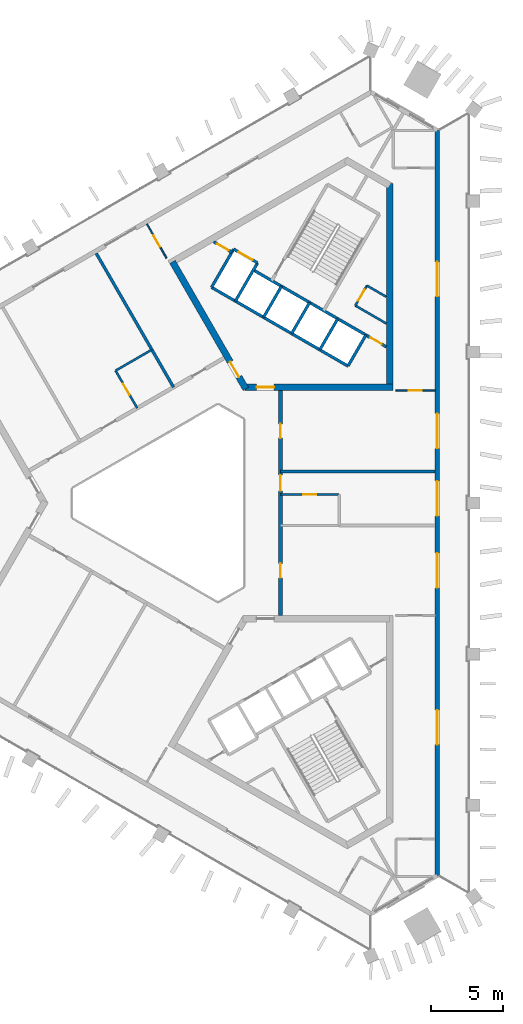
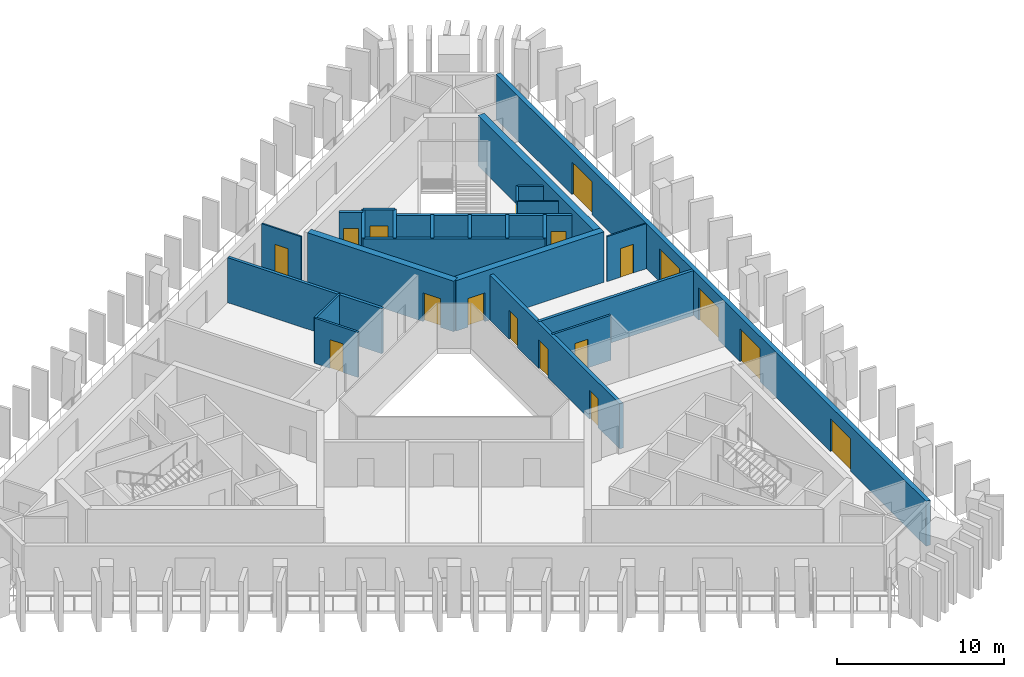
# One storey, part 5 of 9: 25 walls, 18 doors, 18 openings.
"""IFC4 building model written with IfcOpenShell, lengths in metres."""

from ifc_helpers import new_model, si_unit, direction, frame, frame_2d, origin, place, context, subcontext, project, spatial, rectangle, extrude, material, layer, layer_set, type_object, element, fill, save


model = new_model("IFC4")

# Units and contexts
model_context = context("Model", 3, precision=1e-05, world=origin(), true_north=direction((0.0, 1.0)))
body_context = subcontext(model_context, "Body", "Model", "MODEL_VIEW")
ifc_project = project(units=[si_unit("LENGTHUNIT", "METRE"), si_unit("AREAUNIT", "SQUARE_METRE"), si_unit("VOLUMEUNIT", "CUBIC_METRE"), si_unit("PLANEANGLEUNIT", "RADIAN"), si_unit("MASSUNIT", "GRAM", prefix="KILO")], contexts=[model_context])

# Site, building, storey
site_placement = place(None, origin())
site = spatial("IfcSite", under=ifc_project, at=site_placement, CompositionType="ELEMENT")
building_placement = place(site_placement, origin())
building = spatial("IfcBuilding", under=site, at=building_placement, Name="Jabali Bay Hotel Tower and Convention Centre", CompositionType="ELEMENT")
storey_placement = place(building_placement, frame((0.0, 0.0, 205.800048828125)))
storey = spatial("IfcBuildingStorey", under=building, at=storey_placement, Name="L50", CompositionType="ELEMENT", Elevation=205.800048828125)

# Wall, opening, door
ifc_material_1 = material(Name="Concrete C40", Category="concrete")
ifc_layer_1 = layer(ifc_material_1, 0.199951171875)
ifc_layer_set_1 = layer_set([ifc_layer_1], Name="Concrete C40")
wall_type_1 = type_object("IfcWallType", Name="Core partition wall 200", PredefinedType="PARTITIONING", material=ifc_layer_set_1)
wall_1_placement = place(storey_placement, frame((78.730224609375, 97.36083984375, 0.0), z_axis=(0.0, 0.0, 1.0), x_axis=(-0.866045896294, 0.499964504253, 0.0)))
wall_1 = element("IfcWall", 1, at=wall_1_placement, inside=storey, type_object=wall_type_1, Name="Core wall 1.12 L50", PredefinedType="PARTITIONING", context=body_context, shape_type="SweptSolid", body=[
    extrude(rectangle(XDim=1.455078125, YDim=0.199951171875, at=frame_2d((0.7275390625, 0.0))), origin(), (0.0, 0.0, 1.0), 3.300048828125),
])
opening_1_placement = place(wall_1_placement, frame((0.277587890625, 0.0, 0.0)))
opening_1 = element("IfcOpeningElement", 2, at=opening_1_placement, cuts=wall_1, Name="Opening D1085", PredefinedType="OPENING", context=body_context, shape_type="SweptSolid", body=[
    extrude(rectangle(XDim=0.89990234375, YDim=2.10009765625, at=frame_2d((0.449951171875, 1.050048828125))), frame((0.0, 0.1103515625, 0.0), z_axis=(0.0, -1.0, 0.0), x_axis=(1.0, 0.0, 0.0)), (0.0, 0.0, 1.0), 0.220947265625),
])
ifc_material_2 = material(Name="Fire-rated steel door", Category="steel")
door_type_1 = type_object("IfcDoorType", Name="Vestibule fire door 900 x 2100", OperationType="NOTDEFINED", PredefinedType="NOTDEFINED", material=ifc_material_2)
door_1_placement = place(opening_1_placement, origin())
door_1 = element("IfcDoor", 3, at=door_1_placement, inside=storey, type_object=door_type_1, Name="Vestibule fire door D1085", OperationType="SINGLE_SWING_LEFT", OverallHeight=2.10009765625, OverallWidth=0.89990234375, PredefinedType="NOTDEFINED", context=body_context, shape_type="SweptSolid", body=[
    extrude(rectangle(XDim=0.89990234375, YDim=2.10009765625, at=frame_2d((0.449951171875, 1.050048828125))), frame((0.0, 0.02490234375, 0.0), z_axis=(0.0, -1.0, 0.0), x_axis=(1.0, 0.0, 0.0)), (0.0, 0.0, 1.0), 0.050048828125),
])
fill(opening_1, door_1)

ifc_material_3 = material(Name="Fire-rated board partition")
ifc_layer_2 = layer(ifc_material_3, 0.14990234375)
ifc_layer_set_2 = layer_set([ifc_layer_2], Name="Fire-rated board partition")
wall_type_2 = type_object("IfcWallType", Name="Core room partition 150", PredefinedType="PARTITIONING", material=ifc_layer_set_2)
wall_2_placement = place(storey_placement, frame((87.281005859375, 93.671142578125, 0.0), z_axis=(0.0, 0.0, 1.0), x_axis=(0.499880961361, 0.866094119867, 0.0)))
wall_2 = element("IfcWall", 4, at=wall_2_placement, inside=storey, type_object=wall_type_2, Name="Core wall 1.1 L50", PredefinedType="PARTITIONING", context=body_context, shape_type="SweptSolid", body=[
    extrude(rectangle(XDim=1.60009765625, YDim=0.14990234375, at=frame_2d((0.800048828125, 0.0))), origin(), (0.0, 0.0, 1.0), 3.300048828125),
])
opening_2_placement = place(wall_2_placement, frame((0.387451171875, 0.0, 0.0)))
opening_2 = element("IfcOpeningElement", 5, at=opening_2_placement, cuts=wall_2, Name="Opening D1088", PredefinedType="OPENING", context=body_context, shape_type="SweptSolid", body=[
    extrude(rectangle(XDim=0.89990234375, YDim=2.10009765625, at=frame_2d((0.449951171875, 1.050048828125))), frame((0.0, 0.08544921875, 0.0), z_axis=(0.0, -1.0, 0.0), x_axis=(1.0, 0.0, 0.0)), (0.0, 0.0, 1.0), 0.1708984375),
])
door_type_2 = type_object("IfcDoorType", Name="Core room door 900 x 2100", OperationType="NOTDEFINED", PredefinedType="NOTDEFINED", material=ifc_material_2)
door_2_placement = place(opening_2_placement, origin())
door_2 = element("IfcDoor", 6, at=door_2_placement, inside=storey, type_object=door_type_2, Name="Core room door D1088", OperationType="SINGLE_SWING_LEFT", OverallHeight=2.10009765625, OverallWidth=0.89990234375, PredefinedType="NOTDEFINED", context=body_context, shape_type="SweptSolid", body=[
    extrude(rectangle(XDim=0.89990234375, YDim=2.10009765625, at=frame_2d((0.449951171875, 1.050048828125))), frame((0.0, 0.02490234375, 0.0), z_axis=(0.0, -1.0, 0.0), x_axis=(1.0, 0.0, 0.0)), (0.0, 0.0, 1.0), 0.050048828125),
])
fill(opening_2, door_2)

# Walls
wall_3_placement = place(storey_placement, frame((89.429931640625, 92.430419921875, 0.0), z_axis=(0.0, 0.0, 1.0), x_axis=(-0.866018462269, 0.500012022864, 0.0)))
element("IfcWall", 7, at=wall_3_placement, inside=storey, type_object=wall_type_2, Name="Core wall 1.14 L50", PredefinedType="PARTITIONING", context=body_context, shape_type="SweptSolid", body=[
    extrude(rectangle(XDim=2.4814453125, YDim=0.14990234375, at=frame_2d((1.24072265625, 0.0))), origin(), (0.0, 0.0, 1.0), 3.300048828125),
])
wall_4_placement = place(storey_placement, frame((89.429931640625, 94.27783203125, 0.0), z_axis=(0.0, 0.0, 1.0), x_axis=(-0.86598723706, 0.500066100879, 0.0)))
element("IfcWall", 8, at=wall_4_placement, inside=storey, type_object=wall_type_2, Name="Core wall 1.15 L50", PredefinedType="PARTITIONING", context=body_context, shape_type="SweptSolid", body=[
    extrude(rectangle(XDim=1.557861328125, YDim=0.14990234375, at=frame_2d((0.77880859375, 0.0))), origin(), (0.0, 0.0, 1.0), 3.300048828125),
])
ifc_layer_3 = layer(ifc_material_1, 0.199951171875)
ifc_layer_set_3 = layer_set([ifc_layer_3], Name="Concrete C40")
wall_type_3 = type_object("IfcWallType", Name="Core stair wall 200", PredefinedType="SOLIDWALL", material=ifc_layer_set_3)
for number, where, z_axis, x_axis, name in (
    (9, (86.769775390625, 89.48583984375, 0.0), (0.0, 0.0, 1.0), (0.499961042966, 0.86604789447, 0.0), "Core wall 1.0 L50"),
    (10, (84.8212890625, 90.61083984375, 0.0), (0.0, 0.0, 1.0), (0.499961042966, 0.86604789447, 0.0), "Core wall 1.2 L50"),
    (11, (82.872802734375, 91.73583984375, 0.0), (0.0, 0.0, 1.0), (0.499961042966, 0.86604789447, 0.0), "Core wall 1.4 L50"),
    (12, (80.924072265625, 92.86083984375, 0.0), (0.0, 0.0, 1.0), (0.499961042966, 0.86604789447, 0.0), "Core wall 1.6 L50"),
):
    element("IfcWall", number, at=place(storey_placement, frame(where, z_axis=z_axis, x_axis=x_axis)), inside=storey, type_object=wall_type_3, Name=name, PredefinedType="SOLIDWALL", context=body_context, shape_type="SweptSolid", body=[
        extrude(rectangle(XDim=2.480224609375, YDim=0.199951171875, at=frame_2d((1.240234375, 0.0))), origin(), (0.0, 0.0, 1.0), 3.300048828125),
    ])
for number, where, z_axis, x_axis, name in (
    (13, (78.9755859375, 93.98583984375, 0.0), (0.0, 0.0, 1.0), (0.499944174705, 0.866057632134, 0.0), "Core wall 1.8 L50"),
    (14, (77.330078125, 94.93603515625, 0.0), (0.0, 0.0, 1.0), (0.500038867431, 0.8660029625, 0.0), "Core wall 1.9 L50"),
):
    element("IfcWall", number, at=place(storey_placement, frame(where, z_axis=z_axis, x_axis=x_axis)), inside=storey, type_object=wall_type_3, Name=name, PredefinedType="SOLIDWALL", context=body_context, shape_type="SweptSolid", body=[
        extrude(rectangle(XDim=3.050048828125, YDim=0.199951171875, at=frame_2d((1.52490234375, 0.0))), origin(), (0.0, 0.0, 1.0), 3.300048828125),
    ])
wall_5_placement = place(storey_placement, frame((86.769775390625, 89.48583984375, 0.0), z_axis=(0.0, 0.0, 1.0), x_axis=(-0.86601811187, 0.500012629753, 0.0)))
element("IfcWall", 15, at=wall_5_placement, inside=storey, type_object=wall_type_3, Name="Core wall 1.10 L50", PredefinedType="SOLIDWALL", context=body_context, shape_type="SweptSolid", body=[
    extrude(rectangle(XDim=10.900146484375, YDim=0.199951171875, at=frame_2d((5.4501953125, 0.0))), origin(), (0.0, 0.0, 1.0), 3.300048828125),
])

# Wall, opening, door
wall_6_placement = place(storey_placement, frame((89.429931640625, 90.813720703125, 0.0), z_axis=(0.0, 0.0, 1.0), x_axis=(-0.866018983788, 0.500011119594, 0.0)))
wall_6 = element("IfcWall", 16, at=wall_6_placement, inside=storey, type_object=wall_type_3, Name="Core wall 1.11 L50", PredefinedType="SOLIDWALL", context=body_context, shape_type="SweptSolid", body=[
    extrude(rectangle(XDim=10.639892578125, YDim=0.199951171875, at=frame_2d((5.31982421875, 0.0))), origin(), (0.0, 0.0, 1.0), 3.300048828125),
])
opening_3_placement = place(wall_6_placement, frame((0.369873046875, 0.0, 0.0)))
opening_3 = element("IfcOpeningElement", 17, at=opening_3_placement, cuts=wall_6, Name="Opening D1086", PredefinedType="OPENING", context=body_context, shape_type="SweptSolid", body=[
    extrude(rectangle(XDim=0.89990234375, YDim=2.10009765625, at=frame_2d((0.449951171875, 1.050048828125))), frame((0.0, 0.1103515625, 0.0), z_axis=(0.0, -1.0, 0.0), x_axis=(1.0, 0.0, 0.0)), (0.0, 0.0, 1.0), 0.220947265625),
])
door_3_placement = place(opening_3_placement, origin())
door_3 = element("IfcDoor", 18, at=door_3_placement, inside=storey, type_object=door_type_1, Name="Vestibule fire door D1086", OperationType="SINGLE_SWING_LEFT", OverallHeight=2.10009765625, OverallWidth=0.89990234375, PredefinedType="NOTDEFINED", context=body_context, shape_type="SweptSolid", body=[
    extrude(rectangle(XDim=0.89990234375, YDim=2.10009765625, at=frame_2d((0.449951171875, 1.050048828125))), frame((0.0, 0.02490234375, 0.0), z_axis=(0.0, -1.0, 0.0), x_axis=(1.0, 0.0, 0.0)), (0.0, 0.0, 1.0), 0.050048828125),
])
fill(opening_3, door_3)

wall_7_placement = place(storey_placement, frame((80.50048828125, 96.62744140625, 0.0), z_axis=(0.0, 0.0, 1.0), x_axis=(-0.86601224135, 0.500022797313, 0.0)))
wall_7 = element("IfcWall", 19, at=wall_7_placement, inside=storey, type_object=wall_type_3, Name="Core wall 1.13 L50", PredefinedType="SOLIDWALL", context=body_context, shape_type="SweptSolid", body=[
    extrude(rectangle(XDim=1.89990234375, YDim=0.199951171875, at=frame_2d((0.949951171875, 0.0))), origin(), (0.0, 0.0, 1.0), 3.300048828125),
])
opening_4_placement = place(wall_7_placement, frame((0.39990234375, 0.0, 0.0)))
opening_4 = element("IfcOpeningElement", 20, at=opening_4_placement, cuts=wall_7, Name="Opening LD10-L50", PredefinedType="OPENING", context=body_context, shape_type="SweptSolid", body=[
    extrude(rectangle(XDim=1.10009765625, YDim=2.10009765625, at=frame_2d((0.550048828125, 1.050048828125))), frame((0.0, 0.1103515625, 0.0), z_axis=(0.0, -1.0, 0.0), x_axis=(1.0, 0.0, 0.0)), (0.0, 0.0, 1.0), 0.220947265625),
])
ifc_material_4 = material(Name="Stainless steel landing door", Category="steel")
door_type_3 = type_object("IfcDoorType", Name="Landing door 1100 x 2100", OperationType="NOTDEFINED", PredefinedType="NOTDEFINED", material=ifc_material_4)
door_4_placement = place(opening_4_placement, origin())
door_4 = element("IfcDoor", 21, at=door_4_placement, inside=storey, type_object=door_type_3, Name="Landing doors LD10-L50", OperationType="SLIDING_TO_RIGHT", OverallHeight=2.10009765625, OverallWidth=1.10009765625, PredefinedType="NOTDEFINED", context=body_context, shape_type="SweptSolid", body=[
    extrude(rectangle(XDim=1.10009765625, YDim=2.10009765625, at=frame_2d((0.550048828125, 1.050048828125))), frame((0.0, 0.02490234375, 0.0), z_axis=(0.0, -1.0, 0.0), x_axis=(1.0, 0.0, 0.0)), (0.0, 0.0, 1.0), 0.050048828125),
])
fill(opening_4, door_4)

ifc_material_5 = material(Name="Concrete C60", Category="concrete")
ifc_layer_4 = layer(ifc_material_5, 0.449951171875)
ifc_layer_set_4 = layer_set([ifc_layer_4], Name="Concrete C60")
wall_type_4 = type_object("IfcWallType", Name="Core wall 450", PredefinedType="SHEAR", material=ifc_layer_set_4)
wall_8_placement = place(storey_placement, frame((79.6298828125, 88.019287109375, 0.0), z_axis=(0.0, 0.0, 1.0), x_axis=(1.0, 0.0, 0.0)))
wall_8 = element("IfcWall", 22, at=wall_8_placement, inside=storey, type_object=wall_type_4, Name="Core wall 2.1 L50", PredefinedType="SHEAR", context=body_context, shape_type="SweptSolid", body=[
    extrude(rectangle(XDim=10.25, YDim=0.449951171875, at=frame_2d((5.125, 0.0))), origin(), (0.0, 0.0, 1.0), 3.699951171875),
])
opening_5_placement = place(wall_8_placement, frame((0.820068359375, 0.0, 0.0)))
opening_5 = element("IfcOpeningElement", 23, at=opening_5_placement, cuts=wall_8, Name="Opening D1083", PredefinedType="OPENING", context=body_context, shape_type="SweptSolid", body=[
    extrude(rectangle(XDim=1.199951171875, YDim=2.10009765625, at=frame_2d((0.60009765625, 1.050048828125))), frame((0.0, 0.2353515625, 0.0), z_axis=(0.0, -1.0, 0.0), x_axis=(1.0, 0.0, 0.0)), (0.0, 0.0, 1.0), 0.470947265625),
])
door_type_4 = type_object("IfcDoorType", Name="Corridor end fire door 1200 x 2100", OperationType="NOTDEFINED", PredefinedType="NOTDEFINED", material=ifc_material_2)
door_5_placement = place(opening_5_placement, origin())
door_5 = element("IfcDoor", 24, at=door_5_placement, inside=storey, type_object=door_type_4, Name="Corridor end fire door D1083", OperationType="SINGLE_SWING_RIGHT", OverallHeight=2.10009765625, OverallWidth=1.199951171875, PredefinedType="NOTDEFINED", context=body_context, shape_type="SweptSolid", body=[
    extrude(rectangle(XDim=1.199951171875, YDim=2.10009765625, at=frame_2d((0.60009765625, 1.050048828125))), frame((0.0, 0.02490234375, 0.0), z_axis=(0.0, -1.0, 0.0), x_axis=(1.0, 0.0, 0.0)), (0.0, 0.0, 1.0), 0.050048828125),
])
fill(opening_5, door_5)

# Wall
wall_9_placement = place(storey_placement, frame((89.655029296875, 88.019287109375, 0.0), z_axis=(0.0, 0.0, 1.0), x_axis=(0.0, 1.0, 0.0)))
element("IfcWall", 25, at=wall_9_placement, inside=storey, type_object=wall_type_4, Name="Core wall 2.2 L50", PredefinedType="SHEAR", context=body_context, shape_type="SweptSolid", body=[
    extrude(rectangle(XDim=14.1083984375, YDim=0.449951171875, at=frame_2d((7.05419921875, 0.0))), origin(), (0.0, 0.0, 1.0), 3.699951171875),
])

# Wall, opening, door
wall_10_placement = place(storey_placement, frame((74.617431640625, 96.701171875, 0.0), z_axis=(0.0, 0.0, 1.0), x_axis=(0.499994385119, -0.866028645513, 0.0)))
wall_10 = element("IfcWall", 26, at=wall_10_placement, inside=storey, type_object=wall_type_4, Name="Core wall 2.5 L50", PredefinedType="SHEAR", context=body_context, shape_type="SweptSolid", body=[
    extrude(rectangle(XDim=10.15478515625, YDim=0.449951171875, at=frame_2d((5.077392578125, 0.0))), origin(), (0.0, 0.0, 1.0), 3.699951171875),
])
opening_6_placement = place(wall_10_placement, frame((8.0048828125, 0.0, 0.0)))
opening_6 = element("IfcOpeningElement", 27, at=opening_6_placement, cuts=wall_10, Name="Opening D1084", PredefinedType="OPENING", context=body_context, shape_type="SweptSolid", body=[
    extrude(rectangle(XDim=1.199951171875, YDim=2.10009765625, at=frame_2d((0.60009765625, 1.050048828125))), frame((0.0, 0.2353515625, 0.0), z_axis=(0.0, -1.0, 0.0), x_axis=(1.0, 0.0, 0.0)), (0.0, 0.0, 1.0), 0.470947265625),
])
door_6_placement = place(opening_6_placement, origin())
door_6 = element("IfcDoor", 28, at=door_6_placement, inside=storey, type_object=door_type_4, Name="Corridor end fire door D1084", OperationType="SINGLE_SWING_LEFT", OverallHeight=2.10009765625, OverallWidth=1.199951171875, PredefinedType="NOTDEFINED", context=body_context, shape_type="SweptSolid", body=[
    extrude(rectangle(XDim=1.199951171875, YDim=2.10009765625, at=frame_2d((0.60009765625, 1.050048828125))), frame((0.0, 0.02490234375, 0.0), z_axis=(0.0, -1.0, 0.0), x_axis=(1.0, 0.0, 0.0)), (0.0, 0.0, 1.0), 0.050048828125),
])
fill(opening_6, door_6)

# Wall, openings, doors
ifc_layer_5 = layer(ifc_material_5, 0.25)
ifc_layer_set_5 = layer_set([ifc_layer_5], Name="Concrete C60")
wall_type_5 = type_object("IfcWallType", Name="Corridor wall 250", PredefinedType="SHEAR", material=ifc_layer_set_5)
wall_11_placement = place(storey_placement, frame((82.10009765625, 72.205810546875, 0.0), z_axis=(0.0, 0.0, 1.0), x_axis=(0.0, 1.0, 0.0)))
wall_11 = element("IfcWall", 29, at=wall_11_placement, inside=storey, type_object=wall_type_5, Name="Corridor wall 1 L50", PredefinedType="SHEAR", context=body_context, shape_type="SweptSolid", body=[
    extrude(rectangle(XDim=15.58837890625, YDim=0.25, at=frame_2d((7.794189453125, 0.0))), origin(), (0.0, 0.0, 1.0), 3.300048828125),
])
opening_7_placement = place(wall_11_placement, frame((2.61767578125, 0.0, 0.0)))
opening_7 = element("IfcOpeningElement", 30, at=opening_7_placement, cuts=wall_11, Name="Opening 5001", PredefinedType="OPENING", context=body_context, shape_type="SweptSolid", body=[
    extrude(rectangle(XDim=1.0, YDim=2.10009765625, at=frame_2d((0.5, 1.050048828125))), frame((0.0, 0.135498046875, 0.0), z_axis=(0.0, -1.0, 0.0), x_axis=(1.0, 0.0, 0.0)), (0.0, 0.0, 1.0), 0.27099609375),
])
opening_8_placement = place(wall_11_placement, frame((8.626708984375, 0.0, 0.0)))
opening_8 = element("IfcOpeningElement", 31, at=opening_8_placement, cuts=wall_11, Name="Opening 5005", PredefinedType="OPENING", context=body_context, shape_type="SweptSolid", body=[
    extrude(rectangle(XDim=1.10009765625, YDim=2.10009765625, at=frame_2d((0.550048828125, 1.050048828125))), frame((0.0, 0.135498046875, 0.0), z_axis=(0.0, -1.0, 0.0), x_axis=(1.0, 0.0, 0.0)), (0.0, 0.0, 1.0), 0.27099609375),
])
opening_9_placement = place(wall_11_placement, frame((12.282470703125, 0.0, 0.0)))
opening_9 = element("IfcOpeningElement", 32, at=opening_9_placement, cuts=wall_11, Name="Opening 5006", PredefinedType="OPENING", context=body_context, shape_type="SweptSolid", body=[
    extrude(rectangle(XDim=1.0, YDim=2.10009765625, at=frame_2d((0.5, 1.050048828125))), frame((0.0, 0.135498046875, 0.0), z_axis=(0.0, -1.0, 0.0), x_axis=(1.0, 0.0, 0.0)), (0.0, 0.0, 1.0), 0.27099609375),
])
ifc_material_6 = material(Name="Timber", Category="wood")
door_type_5 = type_object("IfcDoorType", Name="Accessible guest room door 1100 x 2100", OperationType="NOTDEFINED", PredefinedType="NOTDEFINED", material=ifc_material_6)
door_7_placement = place(opening_8_placement, origin())
door_7 = element("IfcDoor", 33, at=door_7_placement, inside=storey, type_object=door_type_5, Name="Door 5005", OperationType="SINGLE_SWING_RIGHT", OverallHeight=2.10009765625, OverallWidth=1.10009765625, PredefinedType="NOTDEFINED", context=body_context, shape_type="SweptSolid", body=[
    extrude(rectangle(XDim=1.10009765625, YDim=2.10009765625, at=frame_2d((0.550048828125, 1.050048828125))), frame((0.0, 0.02490234375, 0.0), z_axis=(0.0, -1.0, 0.0), x_axis=(1.0, 0.0, 0.0)), (0.0, 0.0, 1.0), 0.050048828125),
])
fill(opening_8, door_7)
door_type_6 = type_object("IfcDoorType", Name="Guest room door 1000 x 2100", OperationType="NOTDEFINED", PredefinedType="NOTDEFINED", material=ifc_material_6)
door_8_placement = place(opening_7_placement, origin())
door_8 = element("IfcDoor", 34, at=door_8_placement, inside=storey, type_object=door_type_6, Name="Door 5001", OperationType="SINGLE_SWING_LEFT", OverallHeight=2.10009765625, OverallWidth=1.0, PredefinedType="NOTDEFINED", context=body_context, shape_type="SweptSolid", body=[
    extrude(rectangle(XDim=1.0, YDim=2.10009765625, at=frame_2d((0.5, 1.050048828125))), frame((0.0, 0.02490234375, 0.0), z_axis=(0.0, -1.0, 0.0), x_axis=(1.0, 0.0, 0.0)), (0.0, 0.0, 1.0), 0.050048828125),
])
fill(opening_7, door_8)
door_9_placement = place(opening_9_placement, origin())
door_9 = element("IfcDoor", 35, at=door_9_placement, inside=storey, type_object=door_type_6, Name="Door 5006", OperationType="SINGLE_SWING_RIGHT", OverallHeight=2.10009765625, OverallWidth=1.0, PredefinedType="NOTDEFINED", context=body_context, shape_type="SweptSolid", body=[
    extrude(rectangle(XDim=1.0, YDim=2.10009765625, at=frame_2d((0.5, 1.050048828125))), frame((0.0, 0.02490234375, 0.0), z_axis=(0.0, -1.0, 0.0), x_axis=(1.0, 0.0, 0.0)), (0.0, 0.0, 1.0), 0.050048828125),
])
fill(opening_9, door_9)

ifc_layer_6 = layer(ifc_material_1, 0.300048828125)
ifc_layer_set_6 = layer_set([ifc_layer_6], Name="Concrete C40")
wall_type_6 = type_object("IfcWallType", Name="External wall 300", PredefinedType="SOLIDWALL", material=ifc_layer_set_6)
wall_12_placement = place(storey_placement, frame((92.95068359375, 105.810546875, 0.0), z_axis=(0.0, 0.0, 1.0), x_axis=(0.0, -1.0, 0.0)))
wall_12 = element("IfcWall", 36, at=wall_12_placement, inside=storey, type_object=wall_type_6, Name="External wall east face L50", PredefinedType="SOLIDWALL", context=body_context, shape_type="SweptSolid", body=[
    extrude(rectangle(XDim=51.62109375, YDim=0.300048828125, at=frame_2d((25.810546875, 0.0))), origin(), (0.0, 0.0, 1.0), 3.300048828125),
])
opening_10_placement = place(wall_12_placement, frame((24.298828125, 0.0, 0.0)))
opening_10 = element("IfcOpeningElement", 37, at=opening_10_placement, cuts=wall_12, Name="Opening SD1", PredefinedType="OPENING", context=body_context, shape_type="SweptSolid", body=[
    extrude(rectangle(XDim=2.39990234375, YDim=2.39990234375, at=frame_2d((1.199951171875, 1.199951171875))), frame((0.0, 0.16064453125, 0.0), z_axis=(0.0, -1.0, 0.0), x_axis=(1.0, 0.0, 0.0)), (0.0, 0.0, 1.0), 0.321044921875),
])
opening_11_placement = place(wall_12_placement, frame((29.287109375, 0.0, 0.0)))
opening_11 = element("IfcOpeningElement", 38, at=opening_11_placement, cuts=wall_12, Name="Opening SD1", PredefinedType="OPENING", context=body_context, shape_type="SweptSolid", body=[
    extrude(rectangle(XDim=2.39990234375, YDim=2.39990234375, at=frame_2d((1.199951171875, 1.199951171875))), frame((0.0, 0.16064453125, 0.0), z_axis=(0.0, -1.0, 0.0), x_axis=(1.0, 0.0, 0.0)), (0.0, 0.0, 1.0), 0.321044921875),
])
opening_12_placement = place(wall_12_placement, frame((40.14697265625, 0.0, 0.0)))
opening_12 = element("IfcOpeningElement", 39, at=opening_12_placement, cuts=wall_12, Name="Opening SD1", PredefinedType="OPENING", context=body_context, shape_type="SweptSolid", body=[
    extrude(rectangle(XDim=2.39990234375, YDim=2.39990234375, at=frame_2d((1.199951171875, 1.199951171875))), frame((0.0, 0.16064453125, 0.0), z_axis=(0.0, -1.0, 0.0), x_axis=(1.0, 0.0, 0.0)), (0.0, 0.0, 1.0), 0.321044921875),
])
opening_13_placement = place(wall_12_placement, frame((19.622314453125, 0.0, 0.0)))
opening_13 = element("IfcOpeningElement", 40, at=opening_13_placement, cuts=wall_12, Name="Opening SD1", PredefinedType="OPENING", context=body_context, shape_type="SweptSolid", body=[
    extrude(rectangle(XDim=2.39990234375, YDim=2.39990234375, at=frame_2d((1.199951171875, 1.199951171875))), frame((0.0, 0.16064453125, 0.0), z_axis=(0.0, -1.0, 0.0), x_axis=(1.0, 0.0, 0.0)), (0.0, 0.0, 1.0), 0.321044921875),
])
opening_14_placement = place(wall_12_placement, frame((9.107421875, 0.0, 0.0)))
opening_14 = element("IfcOpeningElement", 41, at=opening_14_placement, cuts=wall_12, Name="Opening SD1", PredefinedType="OPENING", context=body_context, shape_type="SweptSolid", body=[
    extrude(rectangle(XDim=2.39990234375, YDim=2.39990234375, at=frame_2d((1.199951171875, 1.199951171875))), frame((0.0, 0.16064453125, 0.0), z_axis=(0.0, -1.0, 0.0), x_axis=(1.0, 0.0, 0.0)), (0.0, 0.0, 1.0), 0.321044921875),
])
ifc_material_7 = material(Name="Glass", Category="glass")
door_type_7 = type_object("IfcDoorType", Name="Loggia sliding door 2400 x 2400", OperationType="NOTDEFINED", PredefinedType="NOTDEFINED", material=ifc_material_7)
door_10_placement = place(opening_10_placement, origin())
door_10 = element("IfcDoor", 42, at=door_10_placement, inside=storey, type_object=door_type_7, Name="Loggia sliding door 5002", OperationType="SLIDING_TO_LEFT", OverallHeight=2.39990234375, OverallWidth=2.39990234375, PredefinedType="NOTDEFINED", context=body_context, shape_type="SweptSolid", body=[
    extrude(rectangle(XDim=2.39990234375, YDim=2.39990234375, at=frame_2d((1.199951171875, 1.199951171875))), frame((0.0, 0.02490234375, 0.0), z_axis=(0.0, -1.0, 0.0), x_axis=(1.0, 0.0, 0.0)), (0.0, 0.0, 1.0), 0.050048828125),
])
fill(opening_10, door_10)
door_11_placement = place(opening_11_placement, origin())
door_11 = element("IfcDoor", 43, at=door_11_placement, inside=storey, type_object=door_type_7, Name="Loggia sliding door 5001", OperationType="SLIDING_TO_RIGHT", OverallHeight=2.39990234375, OverallWidth=2.39990234375, PredefinedType="NOTDEFINED", context=body_context, shape_type="SweptSolid", body=[
    extrude(rectangle(XDim=2.39990234375, YDim=2.39990234375, at=frame_2d((1.199951171875, 1.199951171875))), frame((0.0, 0.02490234375, 0.0), z_axis=(0.0, -1.0, 0.0), x_axis=(1.0, 0.0, 0.0)), (0.0, 0.0, 1.0), 0.050048828125),
])
fill(opening_11, door_11)
door_12_placement = place(opening_12_placement, origin())
door_12 = element("IfcDoor", 44, at=door_12_placement, inside=storey, type_object=door_type_7, Name="Loggia sliding door 5001", OperationType="SLIDING_TO_LEFT", OverallHeight=2.39990234375, OverallWidth=2.39990234375, PredefinedType="NOTDEFINED", context=body_context, shape_type="SweptSolid", body=[
    extrude(rectangle(XDim=2.39990234375, YDim=2.39990234375, at=frame_2d((1.199951171875, 1.199951171875))), frame((0.0, 0.02490234375, 0.0), z_axis=(0.0, -1.0, 0.0), x_axis=(1.0, 0.0, 0.0)), (0.0, 0.0, 1.0), 0.050048828125),
])
fill(opening_12, door_12)
door_13_placement = place(opening_13_placement, origin())
door_13 = element("IfcDoor", 45, at=door_13_placement, inside=storey, type_object=door_type_7, Name="Loggia sliding door 5003", OperationType="SLIDING_TO_RIGHT", OverallHeight=2.39990234375, OverallWidth=2.39990234375, PredefinedType="NOTDEFINED", context=body_context, shape_type="SweptSolid", body=[
    extrude(rectangle(XDim=2.39990234375, YDim=2.39990234375, at=frame_2d((1.199951171875, 1.199951171875))), frame((0.0, 0.02490234375, 0.0), z_axis=(0.0, -1.0, 0.0), x_axis=(1.0, 0.0, 0.0)), (0.0, 0.0, 1.0), 0.050048828125),
])
fill(opening_13, door_13)
door_14_placement = place(opening_14_placement, origin())
door_14 = element("IfcDoor", 46, at=door_14_placement, inside=storey, type_object=door_type_7, Name="Loggia sliding door 5003", OperationType="SLIDING_TO_LEFT", OverallHeight=2.39990234375, OverallWidth=2.39990234375, PredefinedType="NOTDEFINED", context=body_context, shape_type="SweptSolid", body=[
    extrude(rectangle(XDim=2.39990234375, YDim=2.39990234375, at=frame_2d((1.199951171875, 1.199951171875))), frame((0.0, 0.02490234375, 0.0), z_axis=(0.0, -1.0, 0.0), x_axis=(1.0, 0.0, 0.0)), (0.0, 0.0, 1.0), 0.050048828125),
])
fill(opening_14, door_14)

# Wall, opening, door
ifc_material_8 = material(Name="Plasterboard on steel stud", Category="steel")
ifc_layer_7 = layer(ifc_material_8, 0.10009765625)
ifc_layer_set_7 = layer_set([ifc_layer_7], Name="Plasterboard on steel stud")
wall_type_7 = type_object("IfcWallType", Name="Partition 100 unit", PredefinedType="PARTITIONING", material=ifc_layer_set_7)
wall_13_placement = place(storey_placement, frame((92.8017578125, 87.794189453125, 0.0), z_axis=(0.0, 0.0, 1.0), x_axis=(-1.0, 0.0, 0.0)))
wall_13 = element("IfcWall", 47, at=wall_13_placement, inside=storey, type_object=wall_type_7, Name="Partition P02 L50 011", PredefinedType="PARTITIONING", context=body_context, shape_type="SweptSolid", body=[
    extrude(rectangle(XDim=2.72265625, YDim=0.10009765625, at=frame_2d((1.361328125, 0.0))), origin(), (0.0, 0.0, 1.0), 3.300048828125),
])
opening_15_placement = place(wall_13_placement, frame((0.910888671875, 0.0, 0.0)))
opening_15 = element("IfcOpeningElement", 48, at=opening_15_placement, cuts=wall_13, Name="Opening 5007", PredefinedType="OPENING", context=body_context, shape_type="SweptSolid", body=[
    extrude(rectangle(XDim=0.89990234375, YDim=2.10009765625, at=frame_2d((0.449951171875, 1.050048828125))), frame((0.0, 0.060546875, 0.0), z_axis=(0.0, -1.0, 0.0), x_axis=(1.0, 0.0, 0.0)), (0.0, 0.0, 1.0), 0.12109375),
])
door_type_8 = type_object("IfcDoorType", Name="Internal door 900 x 2100", OperationType="NOTDEFINED", PredefinedType="NOTDEFINED", material=ifc_material_6)
door_15_placement = place(opening_15_placement, origin())
door_15 = element("IfcDoor", 49, at=door_15_placement, inside=storey, type_object=door_type_8, Name="Door 5007", OperationType="SINGLE_SWING_LEFT", OverallHeight=2.10009765625, OverallWidth=0.89990234375, PredefinedType="NOTDEFINED", context=body_context, shape_type="SweptSolid", body=[
    extrude(rectangle(XDim=0.89990234375, YDim=2.10009765625, at=frame_2d((0.449951171875, 1.050048828125))), frame((0.0, 0.02490234375, 0.0), z_axis=(0.0, -1.0, 0.0), x_axis=(1.0, 0.0, 0.0)), (0.0, 0.0, 1.0), 0.050048828125),
])
fill(opening_15, door_15)

wall_14_placement = place(storey_placement, frame((74.21044921875, 96.955810546875, 0.0), z_axis=(0.0, 0.0, 1.0), x_axis=(-0.499957886064, 0.866049716911, 0.0)))
wall_14 = element("IfcWall", 50, at=wall_14_placement, inside=storey, type_object=wall_type_7, Name="Partition P02 L50 016", PredefinedType="PARTITIONING", context=body_context, shape_type="SweptSolid", body=[
    extrude(rectangle(XDim=2.722900390625, YDim=0.10009765625, at=frame_2d((1.361328125, 0.0))), origin(), (0.0, 0.0, 1.0), 3.300048828125),
])
opening_16_placement = place(wall_14_placement, frame((0.910888671875, 0.0, 0.0)))
opening_16 = element("IfcOpeningElement", 51, at=opening_16_placement, cuts=wall_14, Name="Opening 5010", PredefinedType="OPENING", context=body_context, shape_type="SweptSolid", body=[
    extrude(rectangle(XDim=0.89990234375, YDim=2.10009765625, at=frame_2d((0.449951171875, 1.050048828125))), frame((0.0, 0.060546875, 0.0), z_axis=(0.0, -1.0, 0.0), x_axis=(1.0, 0.0, 0.0)), (0.0, 0.0, 1.0), 0.12109375),
])
door_16_placement = place(opening_16_placement, origin())
door_16 = element("IfcDoor", 52, at=door_16_placement, inside=storey, type_object=door_type_8, Name="Door 5010", OperationType="SINGLE_SWING_LEFT", OverallHeight=2.10009765625, OverallWidth=0.89990234375, PredefinedType="NOTDEFINED", context=body_context, shape_type="SweptSolid", body=[
    extrude(rectangle(XDim=0.89990234375, YDim=2.10009765625, at=frame_2d((0.449951171875, 1.050048828125))), frame((0.0, 0.02490234375, 0.0), z_axis=(0.0, -1.0, 0.0), x_axis=(1.0, 0.0, 0.0)), (0.0, 0.0, 1.0), 0.050048828125),
])
fill(opening_16, door_16)

ifc_layer_8 = layer(ifc_material_8, 0.14990234375)
ifc_layer_set_8 = layer_set([ifc_layer_8], Name="Plasterboard on steel stud")
wall_type_8 = type_object("IfcWallType", Name="Partition 150 wet", PredefinedType="PARTITIONING", material=ifc_layer_set_8)
wall_15_placement = place(storey_placement, frame((82.10009765625, 80.582275390625, 0.0), z_axis=(0.0, 0.0, 1.0), x_axis=(1.0, 0.0, 0.0)))
wall_15 = element("IfcWall", 53, at=wall_15_placement, inside=storey, type_object=wall_type_8, Name="Partition P03 L50 008", PredefinedType="PARTITIONING", context=body_context, shape_type="SweptSolid", body=[
    extrude(rectangle(XDim=4.06298828125, YDim=0.14990234375, at=frame_2d((2.031494140625, 0.0))), origin(), (0.0, 0.0, 1.0), 3.300048828125),
])
opening_17_placement = place(wall_15_placement, frame((1.58203125, 0.0, 0.0)))
opening_17 = element("IfcOpeningElement", 54, at=opening_17_placement, cuts=wall_15, Name="Opening 5004", PredefinedType="OPENING", context=body_context, shape_type="SweptSolid", body=[
    extrude(rectangle(XDim=0.89990234375, YDim=2.10009765625, at=frame_2d((0.449951171875, 1.050048828125))), frame((0.0, 0.08544921875, 0.0), z_axis=(0.0, -1.0, 0.0), x_axis=(1.0, 0.0, 0.0)), (0.0, 0.0, 1.0), 0.1708984375),
])
door_type_9 = type_object("IfcDoorType", Name="Accessible en-suite door 900 x 2100", OperationType="NOTDEFINED", PredefinedType="NOTDEFINED", material=ifc_material_6)
door_17_placement = place(opening_17_placement, origin())
door_17 = element("IfcDoor", 55, at=door_17_placement, inside=storey, type_object=door_type_9, Name="Door 5004", OperationType="SINGLE_SWING_RIGHT", OverallHeight=2.10009765625, OverallWidth=0.89990234375, PredefinedType="NOTDEFINED", context=body_context, shape_type="SweptSolid", body=[
    extrude(rectangle(XDim=0.89990234375, YDim=2.10009765625, at=frame_2d((0.449951171875, 1.050048828125))), frame((0.0, 0.02490234375, 0.0), z_axis=(0.0, -1.0, 0.0), x_axis=(1.0, 0.0, 0.0)), (0.0, 0.0, 1.0), 0.050048828125),
])
fill(opening_17, door_17)

wall_16_placement = place(storey_placement, frame((72.178466796875, 86.5693359375, 0.0), z_axis=(0.0, 0.0, 1.0), x_axis=(-0.499990139034, 0.866031096941, 0.0)))
wall_16 = element("IfcWall", 56, at=wall_16_placement, inside=storey, type_object=wall_type_8, Name="Partition P03 L50 021", PredefinedType="PARTITIONING", context=body_context, shape_type="SweptSolid", body=[
    extrude(rectangle(XDim=3.0, YDim=0.14990234375, at=frame_2d((1.5, 0.0))), origin(), (0.0, 0.0, 1.0), 3.300048828125),
])
opening_18_placement = place(wall_16_placement, frame((1.050048828125, 0.0, 0.0)))
opening_18 = element("IfcOpeningElement", 57, at=opening_18_placement, cuts=wall_16, Name="Opening 5012", PredefinedType="OPENING", context=body_context, shape_type="SweptSolid", body=[
    extrude(rectangle(XDim=0.89990234375, YDim=2.10009765625, at=frame_2d((0.449951171875, 1.050048828125))), frame((0.0, 0.08544921875, 0.0), z_axis=(0.0, -1.0, 0.0), x_axis=(1.0, 0.0, 0.0)), (0.0, 0.0, 1.0), 0.1708984375),
])
door_18_placement = place(opening_18_placement, origin())
door_18 = element("IfcDoor", 58, at=door_18_placement, inside=storey, type_object=door_type_9, Name="Door 5012", OperationType="SINGLE_SWING_LEFT", OverallHeight=2.10009765625, OverallWidth=0.89990234375, PredefinedType="NOTDEFINED", context=body_context, shape_type="SweptSolid", body=[
    extrude(rectangle(XDim=0.89990234375, YDim=2.10009765625, at=frame_2d((0.449951171875, 1.050048828125))), frame((0.0, 0.02490234375, 0.0), z_axis=(0.0, -1.0, 0.0), x_axis=(1.0, 0.0, 0.0)), (0.0, 0.0, 1.0), 0.050048828125),
])
fill(opening_18, door_18)

# Walls
wall_17_placement = place(storey_placement, frame((70.678466796875, 89.16748046875, 0.0), z_axis=(0.0, 0.0, 1.0), x_axis=(0.866032775405, 0.499987231761, 0.0)))
element("IfcWall", 59, at=wall_17_placement, inside=storey, type_object=wall_type_8, Name="Partition P03 L50 022", PredefinedType="PARTITIONING", context=body_context, shape_type="SweptSolid", body=[
    extrude(rectangle(XDim=2.89990234375, YDim=0.14990234375, at=frame_2d((1.449951171875, 0.0))), origin(), (0.0, 0.0, 1.0), 3.300048828125),
])
ifc_layer_9 = layer(ifc_material_8, 0.199951171875)
ifc_layer_set_9 = layer_set([ifc_layer_9], Name="Plasterboard on steel stud")
wall_type_9 = type_object("IfcWallType", Name="Partition 200 party", PredefinedType="PARTITIONING", material=ifc_layer_set_9)
wall_18_placement = place(storey_placement, frame((92.8017578125, 82.182373046875, 0.0), z_axis=(0.0, 0.0, 1.0), x_axis=(-1.0, 0.0, 0.0)))
element("IfcWall", 60, at=wall_18_placement, inside=storey, type_object=wall_type_9, Name="Partition P01 L50 010", PredefinedType="PARTITIONING", context=body_context, shape_type="SweptSolid", body=[
    extrude(rectangle(XDim=10.70166015625, YDim=0.199951171875, at=frame_2d((5.350830078125, 0.0))), origin(), (0.0, 0.0, 1.0), 3.300048828125),
])
wall_19_placement = place(storey_placement, frame((69.339111328125, 97.287353515625, 0.0), z_axis=(0.0, 0.0, 1.0), x_axis=(0.499993653641, -0.866029067825, 0.0)))
element("IfcWall", 61, at=wall_19_placement, inside=storey, type_object=wall_type_9, Name="Partition P01 L50 017", PredefinedType="PARTITIONING", context=body_context, shape_type="SweptSolid", body=[
    extrude(rectangle(XDim=10.701904296875, YDim=0.199951171875, at=frame_2d((5.35107421875, 0.0))), origin(), (0.0, 0.0, 1.0), 3.300048828125),
])

save(model, "model.ifc")
